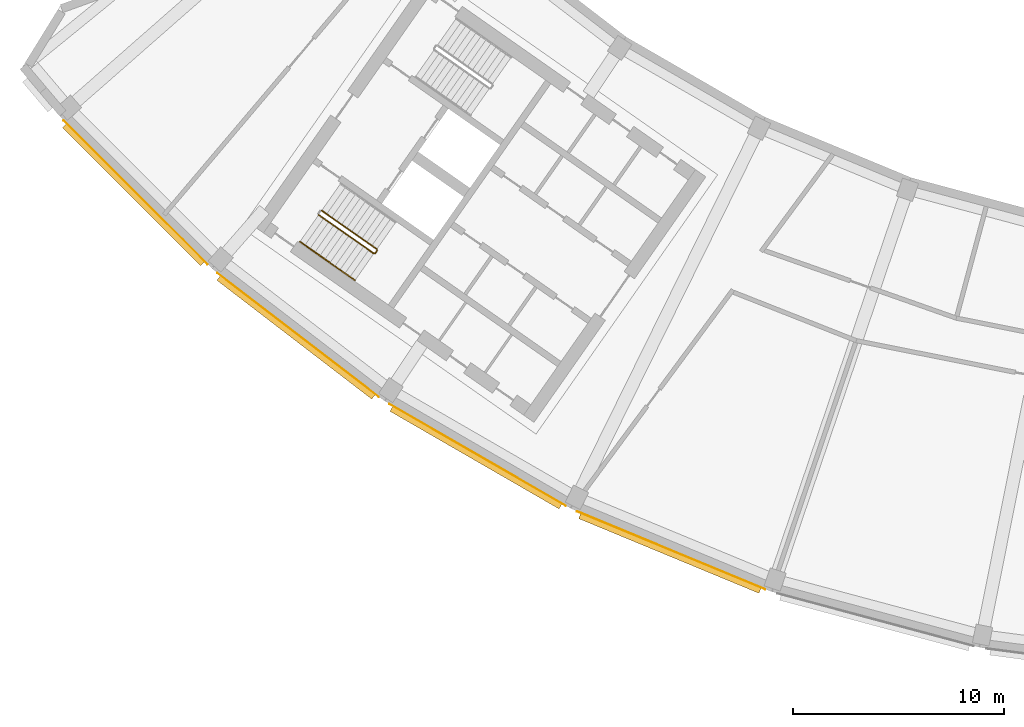
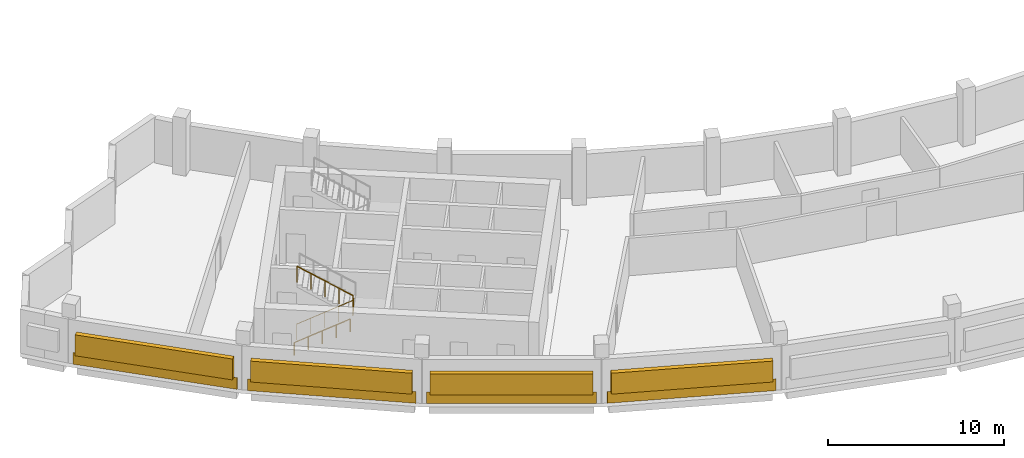
# One storey, part 8 of 11: 4 coverings, 4 shading devices, 3 railings.
"""IFC4 building model written with IfcOpenShell, lengths in metres."""

import ifcopenshell
import ifcopenshell.guid

model = None  # the IFC model being written
_history = None  # IfcOwnerHistory: only IFC2X3 demands one
_inside = {}  # id of a spatial element -> (the spatial element, [elements in it])
_under = {}  # id of a project, library or spatial element -> (it, [spatial elements below it])
_declared = {}  # id of a project -> (the project, [libraries it declares])
_typed = {}  # id of a type object -> (the type object, [elements of that type])
_made_of = {}  # id of a material, layer set ... -> (it, [elements and type objects made of it])


def new_model(schema):
    """Start an empty IFC model of exactly this schema.

    Asked for "IFC4X3", IfcOpenShell would pick the latest addendum, in which some entities
    have other attributes; the version numbers below select the first issue.
    IFC2X3 requires an IfcOwnerHistory on every rooted entity: one is made here for all.
    """
    global model, _history
    if schema == "IFC4X3":
        model = ifcopenshell.file(schema_version=(4, 3, 0, 0))
    else:
        model = ifcopenshell.file(schema=schema)
    _inside.clear()
    _under.clear()
    _declared.clear()
    _typed.clear()
    _made_of.clear()
    _history = None
    if model.schema == "IFC2X3":
        org = make("IfcOrganization", Name="unknown")
        user = make(
            "IfcPersonAndOrganization",
            ThePerson=make("IfcPerson", FamilyName="unknown"),
            TheOrganization=org,
        )
        app = make(
            "IfcApplication",
            ApplicationDeveloper=org,
            Version="unknown",
            ApplicationFullName="unknown",
            ApplicationIdentifier="unknown",
        )
        _history = make(
            "IfcOwnerHistory",
            OwningUser=user,
            OwningApplication=app,
            ChangeAction="ADDED",
            CreationDate=0,
        )
    return model


def make(cls, **values):
    """One entity of the class cls with the attributes given. An attribute that is None is left unset."""
    return model.create_entity(
        cls, **{name: value for name, value in values.items() if value is not None}
    )


def rooted(cls, **values):
    """An entity with a GlobalId (a new one), such as an element, a storey or a relation."""
    return make(cls, GlobalId=ifcopenshell.guid.new(), OwnerHistory=_history, **values)


def si_unit(unit_type, name, prefix=None):
    """IfcSIUnit, for example si_unit("LENGTHUNIT", "METRE", prefix="MILLI")."""
    return make("IfcSIUnit", UnitType=unit_type, Prefix=prefix, Name=name)


def assignment(units):
    """IfcUnitAssignment: the units of a project."""
    return None if units is None else make("IfcUnitAssignment", Units=units)


def point(xyz):
    """IfcCartesianPoint."""
    return None if xyz is None else make("IfcCartesianPoint", Coordinates=xyz)


def direction(xyz):
    """IfcDirection."""
    return None if xyz is None else make("IfcDirection", DirectionRatios=xyz)


def frame(location, z_axis=None, x_axis=None):
    """IfcAxis2Placement3D, a coordinate frame: its origin and axes. An axis left out is left unset."""
    return make(
        "IfcAxis2Placement3D",
        Location=point(location),
        Axis=direction(z_axis),
        RefDirection=direction(x_axis),
    )


def frame_2d(location, x_axis=None):
    """IfcAxis2Placement2D, a coordinate frame in the plane: its origin and x axis."""
    return make(
        "IfcAxis2Placement2D", Location=point(location), RefDirection=direction(x_axis)
    )


def origin():
    """The frame at (0, 0, 0) with its axes left unset."""
    return frame((0.0, 0.0, 0.0))


def origin_2d():
    """The frame at (0, 0) in the plane with its x axis left unset."""
    return frame_2d((0.0, 0.0))


def place(relative_to, where):
    """IfcLocalPlacement: puts the frame where relative to a parent placement (None: the world)."""
    return make(
        "IfcLocalPlacement", PlacementRelTo=relative_to, RelativePlacement=where
    )


def context(
    kind, dimensions, precision=None, world=None, true_north=None, identifier=None
):
    """IfcGeometricRepresentationContext, for example the 3D "Model" context."""
    return make(
        "IfcGeometricRepresentationContext",
        ContextIdentifier=identifier,
        ContextType=kind,
        CoordinateSpaceDimension=dimensions,
        Precision=precision,
        WorldCoordinateSystem=world,
        TrueNorth=true_north,
    )


def subcontext(parent, identifier, kind, view, scale=None):
    """IfcGeometricRepresentationSubContext, for example "Body" below "Model"."""
    return make(
        "IfcGeometricRepresentationSubContext",
        ContextIdentifier=identifier,
        ContextType=kind,
        ParentContext=parent,
        TargetScale=scale,
        TargetView=view,
    )


def project(units=None, contexts=None):
    """IfcProject with its units and contexts."""
    return rooted(
        "IfcProject",
        Name="project",
        RepresentationContexts=contexts,
        UnitsInContext=assignment(units),
    )


def spatial(cls, under=None, at=None, **own):
    """A site, building, storey or space (cls), placed at a placement, below another one or the project."""
    s = rooted(cls, ObjectPlacement=at, **own)
    if under is not None:
        _under.setdefault(under.id(), (under, []))[1].append(s)
    return s


def profile(cls, at=None, kind="AREA", **sizes):
    """A parametric profile (cls). Its sizes go by their IFC names, for example OverallWidth=200.0."""
    return make(cls, ProfileType=kind, Position=at, **sizes)


def rectangle(**sizes):
    """IfcRectangleProfileDef."""
    return profile("IfcRectangleProfileDef", **sizes)


def circle(**sizes):
    """IfcCircleProfileDef."""
    return profile("IfcCircleProfileDef", **sizes)


def extrude(swept, where, along, depth):
    """IfcExtrudedAreaSolid: the profile swept, set in the frame where, extruded along a direction by depth."""
    return make(
        "IfcExtrudedAreaSolid",
        SweptArea=swept,
        Position=where,
        ExtrudedDirection=direction(along),
        Depth=depth,
    )


def shape(context_of_items, identifier, shape_type, items):
    """IfcShapeRepresentation: the items that make up one representation, for example the "Body"."""
    return make(
        "IfcShapeRepresentation",
        ContextOfItems=context_of_items,
        RepresentationIdentifier=identifier,
        RepresentationType=shape_type,
        Items=items,
    )


def material(Name=None, Category=None):
    """IfcMaterial."""
    return make("IfcMaterial", Name=Name, Category=Category)


def layer(
    of_material, thickness, ventilated=None, Name=None, Category=None, Priority=None
):
    """IfcMaterialLayer: one layer of a wall or slab, of a material (None: an air gap)."""
    return make(
        "IfcMaterialLayer",
        Material=of_material,
        LayerThickness=thickness,
        IsVentilated=ventilated,
        Name=Name,
        Category=Category,
        Priority=Priority,
    )


def layer_set(layers, Name=None):
    """IfcMaterialLayerSet."""
    return make("IfcMaterialLayerSet", MaterialLayers=layers, LayerSetName=Name)


def made_of(thing, what):
    """Note that an element or type object is made of a material, layer set ...; save() writes the relation."""
    if what is not None:
        _made_of.setdefault(what.id(), (what, []))[1].append(thing)
    return thing


def type_object(cls, material=None, **own):
    """A type object (cls), such as IfcWallType, which elements share."""
    return made_of(rooted(cls, **own), material)


def element(
    cls,
    number,
    at=None,
    inside=None,
    cuts=None,
    type_object=None,
    material=None,
    context=None,
    identifier="Body",
    shape_type=None,
    held_by="IfcProductDefinitionShape",
    body=None,
    shapes=None,
    **own,
):
    """One element of the class cls, such as IfcWall. Its Tag is "e" and its number.

    at: its placement. inside: the storey or other place that contains it. cuts: it is an
    opening in that element (IfcRelVoidsElement). A single representation is given by context,
    identifier, shape_type and body (its items); several are given by shapes. held_by: the class
    of the entity that holds the representations. save() writes the other relations.
    """
    e = rooted(cls, Tag="e%d" % number, ObjectPlacement=at, **own)
    if body is not None:
        shapes = [shape(context, identifier, shape_type, body)]
    if shapes is not None:
        e.Representation = make(held_by, Representations=shapes)
    if inside is not None:
        _inside.setdefault(inside.id(), (inside, []))[1].append(e)
    if cuts is not None:
        rooted(
            "IfcRelVoidsElement", RelatingBuildingElement=cuts, RelatedOpeningElement=e
        )
    if type_object is not None:
        _typed.setdefault(type_object.id(), (type_object, []))[1].append(e)
    return made_of(e, material)


def aggregate(whole, parts):
    """IfcRelAggregates: a whole, such as a stair, and the parts it consists of."""
    return rooted("IfcRelAggregates", RelatingObject=whole, RelatedObjects=parts)


def save(model, path):
    """Write the relations noted so far, then the file.

    IfcRelAggregates (storeys below a building ...), IfcRelContainedInSpatialStructure (elements
    in a storey), IfcRelDefinesByType, IfcRelAssociatesMaterial and IfcRelDeclares: one each for
    every whole, place, type object, material and project.
    """
    for whole, parts in _under.values():
        aggregate(whole, parts)
    for where, things in _inside.values():
        rooted(
            "IfcRelContainedInSpatialStructure",
            RelatedElements=things,
            RelatingStructure=where,
        )
    for kind, things in _typed.values():
        rooted("IfcRelDefinesByType", RelatedObjects=things, RelatingType=kind)
    for what, things in _made_of.values():
        rooted("IfcRelAssociatesMaterial", RelatedObjects=things, RelatingMaterial=what)
    for by, libraries in _declared.values():
        rooted("IfcRelDeclares", RelatingContext=by, RelatedDefinitions=libraries)
    model.write(path)


model = new_model("IFC4")

# Units and contexts
model_context = context("Model", 3, precision=1e-05, world=origin(), true_north=direction((0.0, 1.0)))
body_context = subcontext(model_context, "Body", "Model", "MODEL_VIEW")
ifc_project = project(units=[si_unit("LENGTHUNIT", "METRE"), si_unit("AREAUNIT", "SQUARE_METRE"), si_unit("VOLUMEUNIT", "CUBIC_METRE"), si_unit("PLANEANGLEUNIT", "RADIAN"), si_unit("MASSUNIT", "GRAM", prefix="KILO")], contexts=[model_context])

# Site, building, storey
site_placement = place(None, origin())
site = spatial("IfcSite", under=ifc_project, at=site_placement, CompositionType="ELEMENT")
building_placement = place(site_placement, origin())
building = spatial("IfcBuilding", under=site, at=building_placement, Name="Qamariyya Broadcast Tower", CompositionType="ELEMENT")
storey_placement = place(building_placement, frame((0.0, 0.0, 306.699951171875)))
storey = spatial("IfcBuildingStorey", under=building, at=storey_placement, Name="L74", CompositionType="ELEMENT", Elevation=306.699951171875)

# Railings
ifc_material_1 = material(Name="Painted steel", Category="steel")
railing_type_1 = type_object("IfcRailingType", Name="Stair guard", PredefinedType="GUARDRAIL", material=ifc_material_1)
railing_1_placement = place(storey_placement, frame((-46.624267578125, -56.34765625, 0.166748046875)))
element("IfcRailing", 1, at=railing_1_placement, inside=storey, type_object=railing_type_1, Name="L74 ST-W1 stair guard 1", PredefinedType="GUARDRAIL", context=body_context, shape_type="SweptSolid", body=[
    extrude(circle(Radius=0.02392578125, at=origin_2d()), frame((0.0, 0.0, 1.076171875), z_axis=(0.710204256923, -0.497335411159, 0.498264389913), x_axis=(0.573611290809, 0.819127637829, 0.0)), (0.0, 0.0, 1.0), 3.67919921875),
    extrude(circle(Radius=0.02392578125, at=origin_2d()), frame((2.613037109375, -1.829833984375, 2.9091796875), z_axis=(0.984957024646, 0.172799478008, 0.0), x_axis=(-0.172799478008, 0.984957024646, 0.0)), (0.0, 0.0, 1.0), 0.070556640625),
    extrude(circle(Radius=0.02392578125, at=origin_2d()), frame((2.6826171875, -1.817626953125, 2.9091796875), z_axis=(0.57368046593, 0.819079192149, 0.0), x_axis=(-0.819079192149, 0.57368046593, 0.0)), (0.0, 0.0, 1.0), 0.150146484375),
    extrude(circle(Radius=0.02099609375, at=origin_2d()), origin(), (0.0, 0.0, 1.0), 1.052001953125),
    extrude(circle(Radius=0.02099609375, at=origin_2d()), frame((0.6533203125, -0.45751953125, 0.458251953125)), (0.0, 0.0, 1.0), 1.052001953125),
    extrude(circle(Radius=0.02099609375, at=origin_2d()), frame((1.306640625, -0.9150390625, 0.91650390625)), (0.0, 0.0, 1.0), 1.052001953125),
    extrude(circle(Radius=0.02099609375, at=origin_2d()), frame((1.959716796875, -1.372314453125, 1.375)), (0.0, 0.0, 1.0), 1.052001953125),
    extrude(circle(Radius=0.02099609375, at=origin_2d()), frame((2.613037109375, -1.829833984375, 1.833251953125)), (0.0, 0.0, 1.0), 1.052001953125),
    extrude(circle(Radius=0.02099609375, at=origin_2d()), frame((2.6826171875, -1.817626953125, 1.833251953125)), (0.0, 0.0, 1.0), 1.052001953125),
    extrude(circle(Radius=0.02099609375, at=origin_2d()), frame((2.768798828125, -1.694580078125, 1.833251953125)), (0.0, 0.0, 1.0), 1.052001953125),
])
railing_2_placement = place(storey_placement, frame((-43.867919921875, -57.97265625, 2.166748046875)))
element("IfcRailing", 2, at=railing_2_placement, inside=storey, type_object=railing_type_1, Name="L74 ST-W1 stair guard 2", PredefinedType="GUARDRAIL", context=body_context, shape_type="SweptSolid", body=[
    extrude(circle(Radius=0.02392578125, at=origin_2d()), frame((0.0, 0.0, 1.076171875), z_axis=(-0.710227693972, 0.497285465629, 0.498280832854), x_axis=(-0.573559936391, -0.819163597438, 0.0)), (0.0, 0.0, 1.0), 3.67919921875),
    extrude(circle(Radius=0.02099609375, at=origin_2d()), origin(), (0.0, 0.0, 1.0), 1.052001953125),
    extrude(circle(Radius=0.02099609375, at=origin_2d()), frame((-0.6533203125, 0.45751953125, 0.458251953125)), (0.0, 0.0, 1.0), 1.052001953125),
    extrude(circle(Radius=0.02099609375, at=origin_2d()), frame((-1.306640625, 0.914794921875, 0.91650390625)), (0.0, 0.0, 1.0), 1.052001953125),
    extrude(circle(Radius=0.02099609375, at=origin_2d()), frame((-1.959716796875, 1.3720703125, 1.375)), (0.0, 0.0, 1.0), 1.052001953125),
    extrude(circle(Radius=0.02099609375, at=origin_2d()), frame((-2.613037109375, 1.82958984375, 1.833251953125)), (0.0, 0.0, 1.0), 1.052001953125),
])
ifc_material_2 = material(Name="Stainless steel", Category="steel")
railing_type_2 = type_object("IfcRailingType", Name="Stair handrail", PredefinedType="HANDRAIL", material=ifc_material_2)
railing_3_placement = place(storey_placement, frame((-47.513427734375, -57.617431640625, 0.166748046875)))
element("IfcRailing", 3, at=railing_3_placement, inside=storey, type_object=railing_type_2, Name="L74 ST-W1 stair handrail 1", PredefinedType="HANDRAIL", context=body_context, shape_type="SweptSolid", body=[
    extrude(circle(Radius=0.02392578125, at=origin_2d()), frame((0.0, 0.0, 0.8759765625), z_axis=(0.710204256923, -0.497335411159, 0.498264389913), x_axis=(0.573611290809, 0.819127637829, 0.0)), (0.0, 0.0, 1.0), 3.67919921875),
    extrude(circle(Radius=0.02099609375, at=origin_2d()), origin(), (0.0, 0.0, 1.0), 0.851806640625),
    extrude(circle(Radius=0.02099609375, at=origin_2d()), frame((0.6533203125, -0.45751953125, 0.458251953125)), (0.0, 0.0, 1.0), 0.851806640625),
    extrude(circle(Radius=0.02099609375, at=origin_2d()), frame((1.306640625, -0.9150390625, 0.91650390625)), (0.0, 0.0, 1.0), 0.851806640625),
    extrude(circle(Radius=0.02099609375, at=origin_2d()), frame((1.959716796875, -1.372314453125, 1.375)), (0.0, 0.0, 1.0), 0.851806640625),
    extrude(circle(Radius=0.02099609375, at=origin_2d()), frame((2.613037109375, -1.829833984375, 1.833251953125)), (0.0, 0.0, 1.0), 0.851806640625),
])

# Coverings
ifc_material_3 = material(Name="Glazed terracotta", Category="masonry")
ifc_layer = layer(ifc_material_3, 0.030029296875)
ifc_layer_set = layer_set([ifc_layer], Name="Terracotta cladding panel 30, crown band")
covering_type = type_object("IfcCoveringType", Name="Terracotta cladding panel 30, crown band", PredefinedType="CLADDING", material=ifc_layer_set)
for number, where, z_axis, x_axis, name in (
    (4, (-55.293701171875, -55.293701171875, 0.0), (0.0, 0.0, 1.0), (0.707106781187, -0.707106781187, 0.0), "e-cl-L74-01"),
    (5, (-47.603515625, -62.0380859375, 0.0), (0.0, 0.0, 1.0), (0.793353340291, -0.608761429009, 0.0), "e-cl-L74-02"),
    (6, (-39.0986328125, -67.720703125, 0.0), (0.0, 0.0, 1.0), (0.866025403784, -0.5, 0.0), "e-cl-L74-03"),
    (7, (-29.9248046875, -72.244873046875, 0.0), (0.0, 0.0, 1.0), (0.923879532511, -0.382683432365, 0.0), "e-cl-L74-04"),
):
    element("IfcCovering", number, at=place(storey_placement, frame(where, z_axis=z_axis, x_axis=x_axis)), inside=storey, type_object=covering_type, Name=name, PredefinedType="CLADDING", context=body_context, shape_type="SweptSolid", body=[
        extrude(rectangle(XDim=9.648681640625, YDim=0.030029296875, at=origin_2d()), origin(), (0.0, 0.0, 1.0), 0.800048828125),
    ])

# Shading devices
shading_device_type = type_object("IfcShadingDeviceType", Name="Terracotta louvre bank", PredefinedType="USERDEFINED", material=ifc_material_3)
for number, where, z_axis, x_axis, name in (
    (8, (-55.38916015625, -55.38916015625, 0.80029296875), (0.0, 0.0, 1.0), (0.707106781187, -0.707106781187, 0.0), "e-lv-L74-01"),
    (9, (-47.685546875, -62.145263671875, 0.80029296875), (0.0, 0.0, 1.0), (0.793353340291, -0.608761429009, 0.0), "e-lv-L74-02"),
    (10, (-39.166015625, -67.837646484375, 0.80029296875), (0.0, 0.0, 1.0), (0.866025403784, -0.5, 0.0), "e-lv-L74-03"),
    (11, (-29.9765625, -72.36962890625, 0.80029296875), (0.0, 0.0, 1.0), (0.923879532511, -0.382683432365, 0.0), "e-lv-L74-04"),
):
    element("IfcShadingDevice", number, at=place(storey_placement, frame(where, z_axis=z_axis, x_axis=x_axis)), inside=storey, type_object=shading_device_type, Name=name, ObjectType="LOUVRE", PredefinedType="USERDEFINED", context=body_context, shape_type="SweptSolid", body=[
        extrude(rectangle(XDim=9.248779296875, YDim=0.300048828125, at=origin_2d()), origin(), (0.0, 0.0, 1.0), 1.449951171875),
    ])

save(model, "model.ifc")
